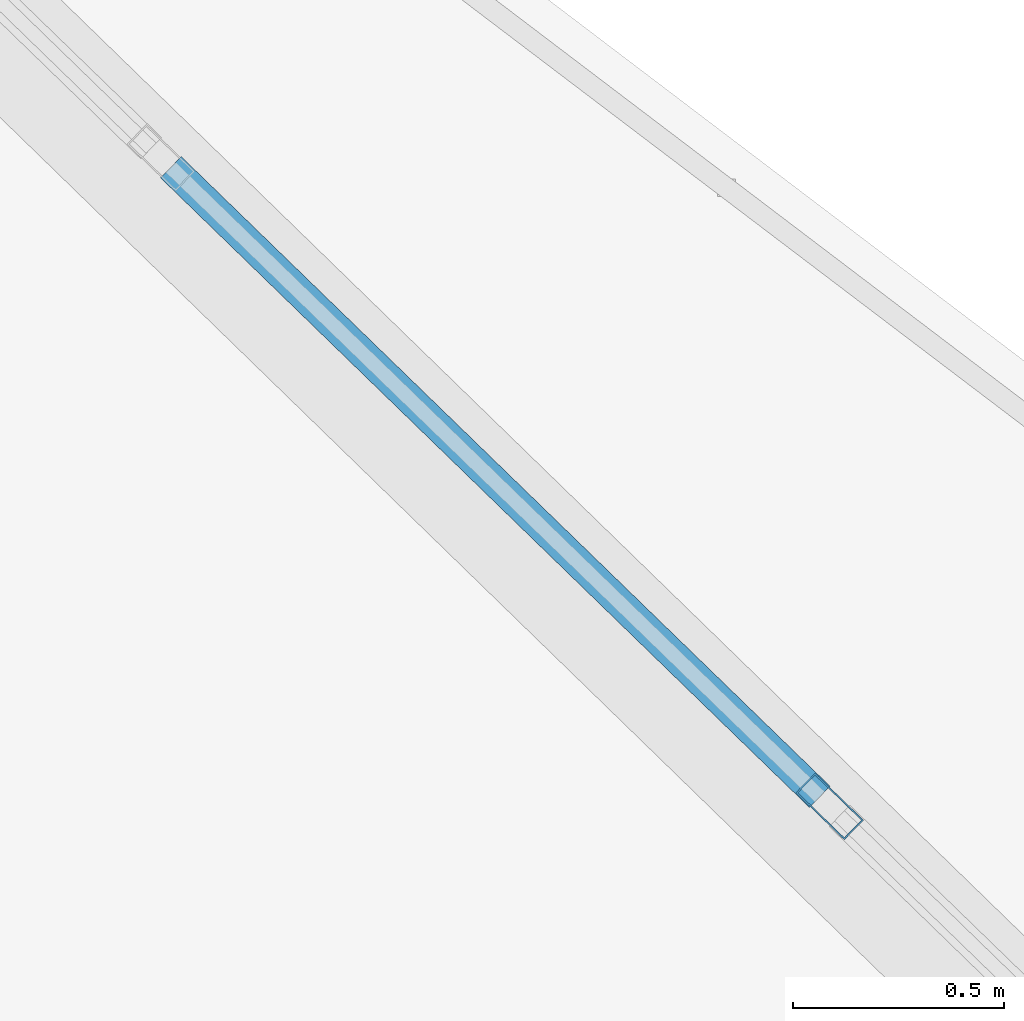
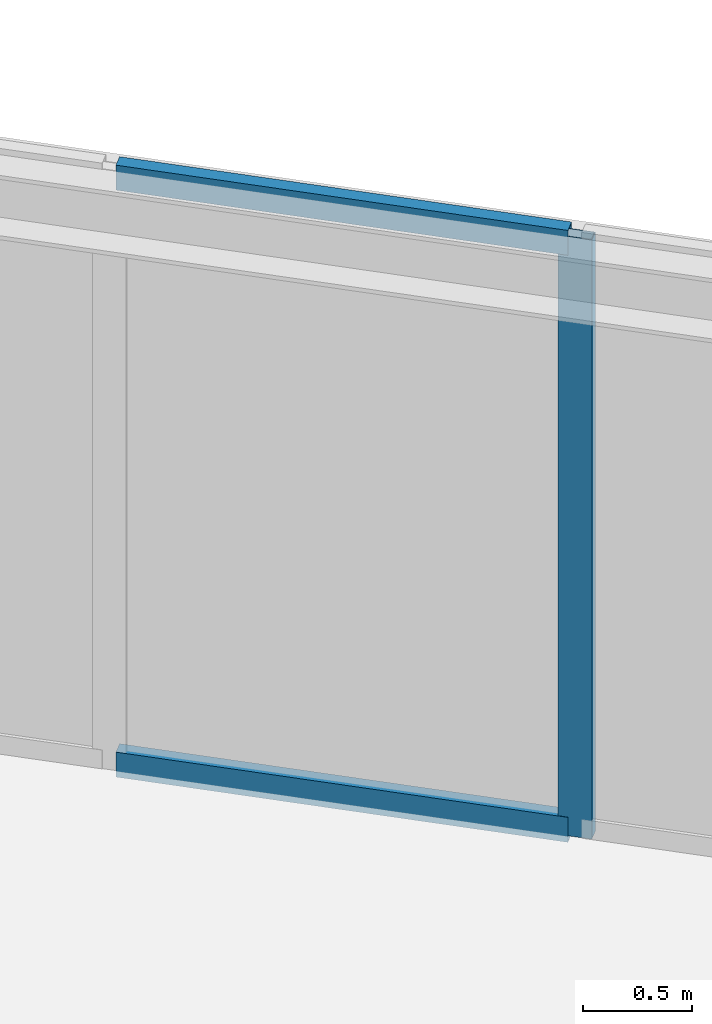
# One storey, part 15 of 27: 3 members, 1 element without a shape of its own.
"""IFC4 building model written with IfcOpenShell, lengths in metres."""

from ifc_helpers import new_model, si_unit, direction, frame, origin, origin_2d, place, context, subcontext, project, spatial, hollow_rectangle, extrude, material, layer, layer_set, material_profile, profile_set, type_object, element, aggregate, save


model = new_model("IFC4")

# Units and contexts
model_context = context("Model", 3, precision=1e-05, world=origin(), true_north=direction((0.0, 1.0)))
body_context = subcontext(model_context, "Body", "Model", "MODEL_VIEW")
ifc_project = project(units=[si_unit("LENGTHUNIT", "METRE"), si_unit("AREAUNIT", "SQUARE_METRE"), si_unit("VOLUMEUNIT", "CUBIC_METRE"), si_unit("PLANEANGLEUNIT", "RADIAN"), si_unit("MASSUNIT", "GRAM", prefix="KILO")], contexts=[model_context])

# Site, building, storey
site_placement = place(None, origin())
site = spatial("IfcSite", under=ifc_project, at=site_placement, CompositionType="ELEMENT")
building_placement = place(site_placement, origin())
building = spatial("IfcBuilding", under=site, at=building_placement, Name="Varnakorn Sky Granary", CompositionType="ELEMENT")
storey_placement = place(building_placement, frame((0.0, 0.0, 232.800048828125)))
storey = spatial("IfcBuildingStorey", under=building, at=storey_placement, Name="L59", CompositionType="ELEMENT", Elevation=232.800048828125)

# Curtain wall, members
ifc_material = material(Name="Anodised Bronze Aluminium Alloy 6063-T6", Category="aluminium")
ifc_layer = layer(ifc_material, 0.169921875, Name="Anodised Bronze Aluminium Alloy 6063-T6")
ifc_layer_set = layer_set([ifc_layer], Name="Anodised Bronze Aluminium Alloy 6063-T6")
curtain_wall_type = type_object("IfcCurtainWallType", Name="CW-LAB-1", PredefinedType="USERDEFINED", material=ifc_layer_set)
curtain_wall_placement = place(storey_placement, origin())
curtain_wall = element("IfcCurtainWall", 1, at=curtain_wall_placement, inside=storey, type_object=curtain_wall_type, Name="Unitised Curtain Wall CW5 CW-L59-B02", ObjectType="CURTAIN WALL", PredefinedType="USERDEFINED")
ifc_material_profile_1 = material_profile(ifc_material, hollow_rectangle(XDim=0.06494140625, YDim=0.159912109375, WallThickness=0.00341796875, at=origin_2d()), Name="ALU MULL 65x160")
ifc_profile_set_1 = profile_set([ifc_material_profile_1], Name="Anodised Bronze Aluminium Alloy 6063-T6")
member_type_1 = type_object("IfcMemberType", Name="CW-LAB-1-MULL", PredefinedType="MULLION", material=ifc_profile_set_1)
member_1_placement = place(storey_placement, frame((17.5751953125, 12.343994140625, 0.0), z_axis=(0.0, 0.0, 1.0), x_axis=(0.696278954574, 0.717771284893, 0.0)))
member_1 = element("IfcMember", 2, at=member_1_placement, type_object=member_type_1, Name="CW5 mullion 3", PredefinedType="MULLION", context=body_context, shape_type="SweptSolid", body=[
    extrude(hollow_rectangle(XDim=0.06494140625, YDim=0.159912109375, WallThickness=0.00341796875, at=origin_2d()), origin(), (0.0, 0.0, 1.0), 3.35986328125),
])
ifc_material_profile_2 = material_profile(ifc_material, hollow_rectangle(XDim=0.070068359375, YDim=0.139892578125, WallThickness=0.00341796875, at=origin_2d()), Name="ALU TRAN 70x140")
ifc_profile_set_2 = profile_set([ifc_material_profile_2], Name="Anodised Bronze Aluminium Alloy 6063-T6")
member_type_2 = type_object("IfcMemberType", Name="CW-LAB-1-TRAN", PredefinedType="USERDEFINED", material=ifc_profile_set_2)
member_2_placement = place(storey_placement, frame((16.015625, 13.857177734375, 0.034912109375), z_axis=(0.717691342535, -0.696361355082, 0.0), x_axis=(0.696361355082, 0.717691342535, 0.0)))
member_2 = element("IfcMember", 3, at=member_2_placement, type_object=member_type_2, Name="CW5 transom 2.1", ObjectType="TRANSOM", PredefinedType="USERDEFINED", context=body_context, shape_type="SweptSolid", body=[
    extrude(hollow_rectangle(XDim=0.070068359375, YDim=0.139892578125, WallThickness=0.00341796875, at=origin_2d()), origin(), (0.0, 0.0, 1.0), 2.140380859375),
])
member_3_placement = place(storey_placement, frame((16.015625, 13.857177734375, 3.324951171875), z_axis=(0.717691342535, -0.696361355082, 0.0), x_axis=(0.696361355082, 0.717691342535, 0.0)))
member_3 = element("IfcMember", 4, at=member_3_placement, type_object=member_type_2, Name="CW5 transom 2.2", ObjectType="TRANSOM", PredefinedType="USERDEFINED", context=body_context, shape_type="SweptSolid", body=[
    extrude(hollow_rectangle(XDim=0.070068359375, YDim=0.139892578125, WallThickness=0.00341796875, at=origin_2d()), origin(), (0.0, 0.0, 1.0), 2.140380859375),
])
aggregate(curtain_wall, [member_1, member_2, member_3])

save(model, "model.ifc")
